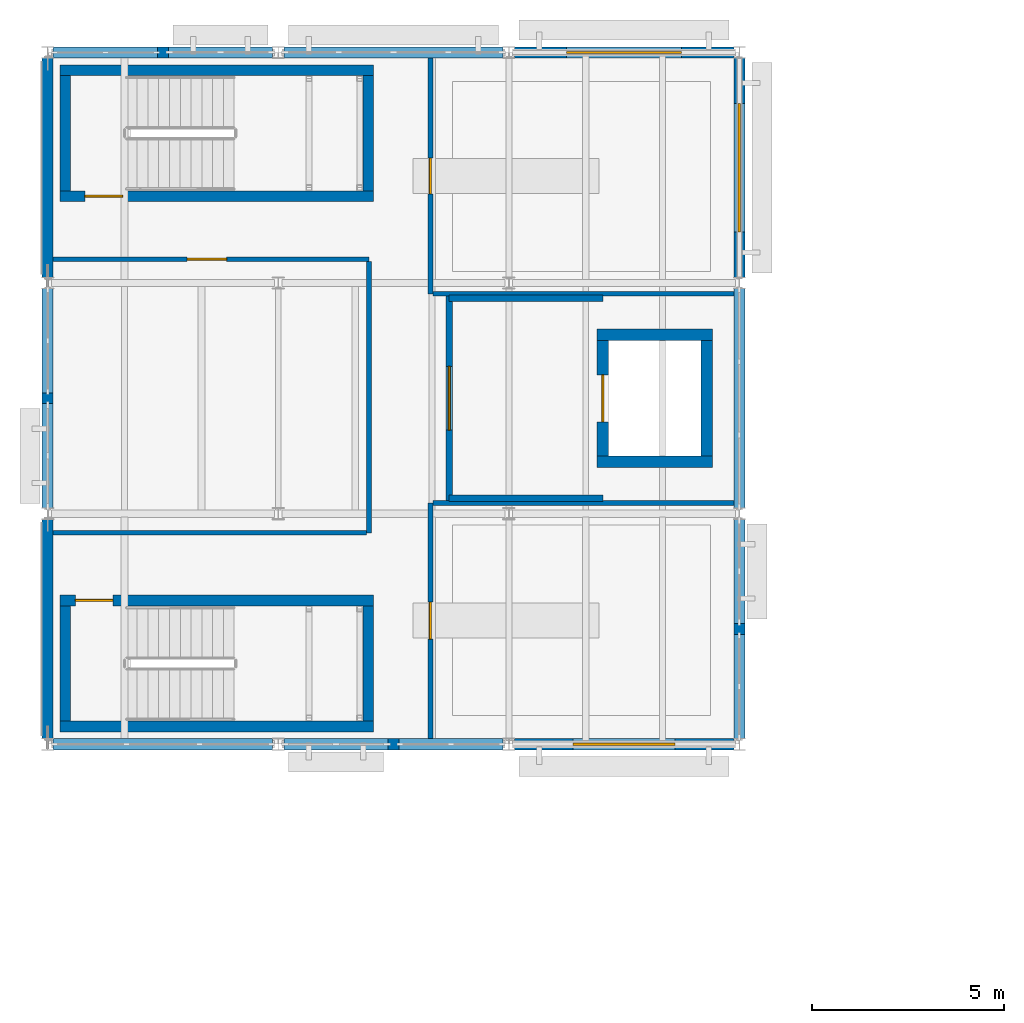
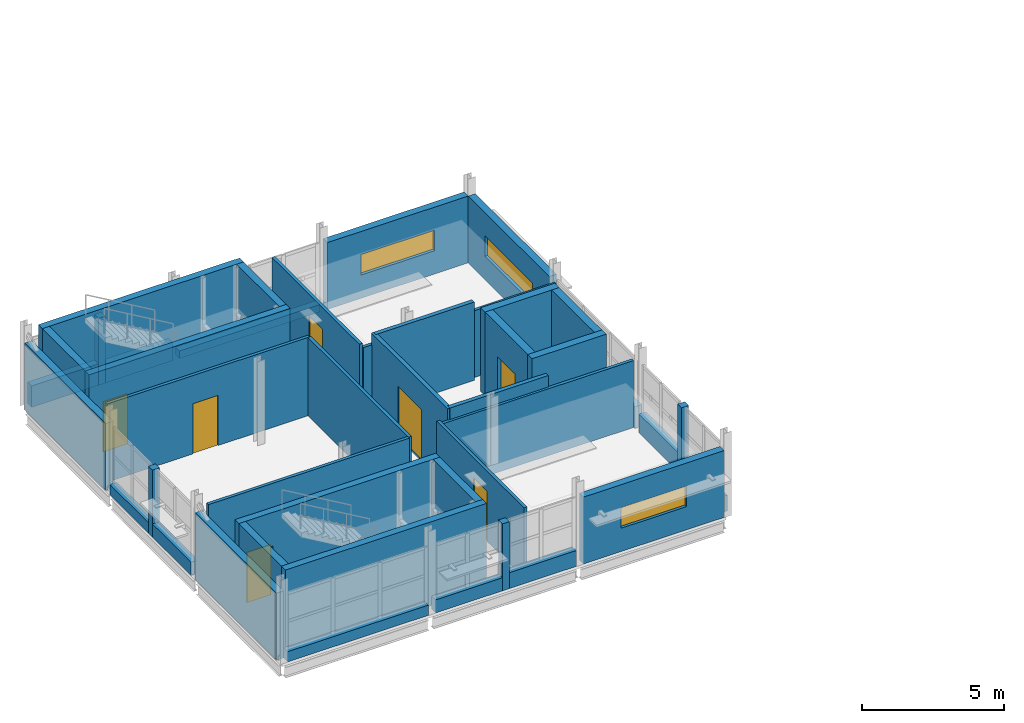
# One storey, part 15 of 20: 42 walls, 7 doors, 3 windows, 10 openings.
"""IFC4 building model written with IfcOpenShell, lengths in metres."""

from ifc_helpers import new_model, si_unit, direction, frame, frame_2d, origin, place, context, subcontext, project, spatial, rectangle, extrude, material, layer, layer_set, type_object, element, fill, save


model = new_model("IFC4")

# Units and contexts
model_context = context("Model", 3, precision=1e-05, world=origin(), true_north=direction((0.0, 1.0)))
body_context = subcontext(model_context, "Body", "Model", "MODEL_VIEW")
ifc_project = project(units=[si_unit("LENGTHUNIT", "METRE"), si_unit("AREAUNIT", "SQUARE_METRE"), si_unit("VOLUMEUNIT", "CUBIC_METRE"), si_unit("PLANEANGLEUNIT", "RADIAN"), si_unit("MASSUNIT", "GRAM", prefix="KILO")], contexts=[model_context])

# Site, building, storey
site_placement = place(None, origin())
site = spatial("IfcSite", under=ifc_project, at=site_placement, CompositionType="ELEMENT")
building_placement = place(site_placement, origin())
building = spatial("IfcBuilding", under=site, at=building_placement, Name="Siltcreek Boulevard Central Fire Station", CompositionType="ELEMENT")
storey_placement = place(building_placement, frame((0.0, 0.0, 18.0)))
storey = spatial("IfcBuildingStorey", under=building, at=storey_placement, Name="L05", CompositionType="ELEMENT", Elevation=18.0)

# Wall
ifc_material_1 = material(Name="Concrete C40/50", Category="concrete")
ifc_layer_1 = layer(ifc_material_1, 0.280029296875, Name="Concrete C40/50")
ifc_layer_set_1 = layer_set([ifc_layer_1], Name="Concrete C40/50")
wall_type_1 = type_object("IfcWallType", Name="CW_SHEAR280", PredefinedType="SHEAR", material=ifc_layer_set_1)
wall_1_placement = place(storey_placement, frame((42.320068359375, 94.659912109375, 0.0), z_axis=(0.0, 0.0, 1.0), x_axis=(1.0, 0.0, 0.0)))
element("IfcWall", 1, at=wall_1_placement, inside=storey, type_object=wall_type_1, Name="L05 ST-V3A stair enclosure south shear wall", PredefinedType="SHEAR", context=body_context, shape_type="SweptSolid", body=[
    extrude(rectangle(XDim=8.159912109375, YDim=0.280029296875, at=frame_2d((4.080078125, 0.0))), origin(), (0.0, 0.0, 1.0), 3.60009765625),
])

# Wall, opening, door
wall_2_placement = place(storey_placement, frame((50.47998046875, 97.93994140625, 0.0), z_axis=(0.0, 0.0, 1.0), x_axis=(-1.0, 0.0, 0.0)))
wall_2 = element("IfcWall", 2, at=wall_2_placement, inside=storey, type_object=wall_type_1, Name="L05 ST-V3A stair enclosure north shear wall", PredefinedType="SHEAR", context=body_context, shape_type="SweptSolid", body=[
    extrude(rectangle(XDim=8.159912109375, YDim=0.280029296875, at=frame_2d((4.080078125, 0.0))), origin(), (0.0, 0.0, 1.0), 3.60009765625),
])
opening_1_placement = place(wall_2_placement, frame((6.780029296875, 0.0, 0.0)))
opening_1 = element("IfcOpeningElement", 3, at=opening_1_placement, cuts=wall_2, Name="Opening SD-024", PredefinedType="OPENING", context=body_context, shape_type="SweptSolid", body=[
    extrude(rectangle(XDim=0.97998046875, YDim=2.14990234375, at=frame_2d((0.489990234375, 1.074951171875))), frame((0.0, 0.14990234375, 0.0), z_axis=(0.0, -1.0, 0.0), x_axis=(1.0, 0.0, 0.0)), (0.0, 0.0, 1.0), 0.300048828125),
])
ifc_material_2 = material(Name="Hollow metal 90-min enclosed stair door")
door_type_1 = type_object("IfcDoorType", Name="DR_ST_098X215", OperationType="NOTDEFINED", PredefinedType="DOOR", material=ifc_material_2)
door_1_placement = place(opening_1_placement, origin())
door_1 = element("IfcDoor", 4, at=door_1_placement, inside=storey, type_object=door_type_1, Name="L05 ST-V3A enclosed exit stair door SD-024", OperationType="SINGLE_SWING_LEFT", OverallHeight=2.14990234375, OverallWidth=0.97998046875, PredefinedType="DOOR", context=body_context, shape_type="SweptSolid", body=[
    extrude(rectangle(XDim=0.97998046875, YDim=2.14990234375, at=frame_2d((0.489990234375, 1.074951171875))), frame((0.0, 0.02490234375, 0.0), z_axis=(0.0, -1.0, 0.0), x_axis=(1.0, 0.0, 0.0)), (0.0, 0.0, 1.0), 0.050048828125),
])
fill(opening_1, door_1)

# Walls
for number, where, z_axis, x_axis, name in (
    (5, (42.4599609375, 97.800048828125, 0.0), (0.0, 0.0, 1.0), (0.0, -1.0, 0.0), "L05 ST-V3A stair enclosure west shear wall"),
    (6, (50.340087890625, 94.800048828125, 0.0), (0.0, 0.0, 1.0), (0.0, 1.0, 0.0), "L05 ST-V3A stair enclosure east shear wall"),
):
    element("IfcWall", number, at=place(storey_placement, frame(where, z_axis=z_axis, x_axis=x_axis)), inside=storey, type_object=wall_type_1, Name=name, PredefinedType="SHEAR", context=body_context, shape_type="SweptSolid", body=[
        extrude(rectangle(XDim=3.0, YDim=0.280029296875, at=frame_2d((1.5, 0.0))), origin(), (0.0, 0.0, 1.0), 3.60009765625),
    ])

# Wall, opening, door
wall_3_placement = place(storey_placement, frame((42.320068359375, 108.4599609375, 0.0), z_axis=(0.0, 0.0, 1.0), x_axis=(1.0, 0.0, 0.0)))
wall_3 = element("IfcWall", 7, at=wall_3_placement, inside=storey, type_object=wall_type_1, Name="L05 ST-V3B stair enclosure south shear wall", PredefinedType="SHEAR", context=body_context, shape_type="SweptSolid", body=[
    extrude(rectangle(XDim=8.159912109375, YDim=0.280029296875, at=frame_2d((4.080078125, 0.0))), origin(), (0.0, 0.0, 1.0), 3.60009765625),
])
opening_2_placement = place(wall_3_placement, frame((0.64990234375, 0.0, 0.0)))
opening_2 = element("IfcOpeningElement", 8, at=opening_2_placement, cuts=wall_3, Name="Opening SD-030", PredefinedType="OPENING", context=body_context, shape_type="SweptSolid", body=[
    extrude(rectangle(XDim=0.97998046875, YDim=2.14990234375, at=frame_2d((0.489990234375, 1.074951171875))), frame((0.0, 0.14990234375, 0.0), z_axis=(0.0, -1.0, 0.0), x_axis=(1.0, 0.0, 0.0)), (0.0, 0.0, 1.0), 0.300048828125),
])
door_2_placement = place(opening_2_placement, origin())
door_2 = element("IfcDoor", 9, at=door_2_placement, inside=storey, type_object=door_type_1, Name="L05 ST-V3B enclosed exit stair door SD-030", OperationType="SINGLE_SWING_LEFT", OverallHeight=2.14990234375, OverallWidth=0.97998046875, PredefinedType="DOOR", context=body_context, shape_type="SweptSolid", body=[
    extrude(rectangle(XDim=0.97998046875, YDim=2.14990234375, at=frame_2d((0.489990234375, 1.074951171875))), frame((0.0, 0.02490234375, 0.0), z_axis=(0.0, -1.0, 0.0), x_axis=(1.0, 0.0, 0.0)), (0.0, 0.0, 1.0), 0.050048828125),
])
fill(opening_2, door_2)

# Walls
wall_4_placement = place(storey_placement, frame((50.47998046875, 111.739990234375, 0.0), z_axis=(0.0, 0.0, 1.0), x_axis=(-1.0, 0.0, 0.0)))
element("IfcWall", 10, at=wall_4_placement, inside=storey, type_object=wall_type_1, Name="L05 ST-V3B stair enclosure north shear wall", PredefinedType="SHEAR", context=body_context, shape_type="SweptSolid", body=[
    extrude(rectangle(XDim=8.159912109375, YDim=0.280029296875, at=frame_2d((4.080078125, 0.0))), origin(), (0.0, 0.0, 1.0), 3.60009765625),
])
for number, where, z_axis, x_axis, name in (
    (11, (42.4599609375, 111.60009765625, 0.0), (0.0, 0.0, 1.0), (0.0, -1.0, 0.0), "L05 ST-V3B stair enclosure west shear wall"),
    (12, (50.340087890625, 108.60009765625, 0.0), (0.0, 0.0, 1.0), (0.0, 1.0, 0.0), "L05 ST-V3B stair enclosure east shear wall"),
):
    element("IfcWall", number, at=place(storey_placement, frame(where, z_axis=z_axis, x_axis=x_axis)), inside=storey, type_object=wall_type_1, Name=name, PredefinedType="SHEAR", context=body_context, shape_type="SweptSolid", body=[
        extrude(rectangle(XDim=3.0, YDim=0.280029296875, at=frame_2d((1.5, 0.0))), origin(), (0.0, 0.0, 1.0), 3.60009765625),
    ])
ifc_layer_2 = layer(ifc_material_1, 0.304931640625, Name="Concrete C40/50")
ifc_layer_set_2 = layer_set([ifc_layer_2], Name="Concrete C40/50")
wall_type_2 = type_object("IfcWallType", Name="CW_SHEAR305", PredefinedType="SHEAR", material=ifc_layer_set_2)
for number, where, z_axis, x_axis, name in (
    (13, (56.294921875, 101.547607421875, 0.0), (0.0, 0.0, 1.0), (1.0, 0.0, 0.0), "L05 EL-04 elevator shaft south shear wall"),
    (14, (59.304931640625, 104.8525390625, 0.0), (0.0, 0.0, 1.0), (-1.0, 0.0, 0.0), "L05 EL-04 elevator shaft north shear wall"),
):
    element("IfcWall", number, at=place(storey_placement, frame(where, z_axis=z_axis, x_axis=x_axis)), inside=storey, type_object=wall_type_2, Name=name, PredefinedType="SHEAR", context=body_context, shape_type="SweptSolid", body=[
        extrude(rectangle(XDim=3.010009765625, YDim=0.304931640625, at=frame_2d((1.5048828125, 0.0))), origin(), (0.0, 0.0, 1.0), 3.60009765625),
    ])

# Wall, opening, door
wall_5_placement = place(storey_placement, frame((56.447509765625, 104.699951171875, 0.0), z_axis=(0.0, 0.0, 1.0), x_axis=(0.0, -1.0, 0.0)))
wall_5 = element("IfcWall", 15, at=wall_5_placement, inside=storey, type_object=wall_type_2, Name="L05 EL-04 elevator shaft west shear wall", PredefinedType="SHEAR", context=body_context, shape_type="SweptSolid", body=[
    extrude(rectangle(XDim=3.0, YDim=0.304931640625, at=frame_2d((1.5, 0.0))), origin(), (0.0, 0.0, 1.0), 3.60009765625),
])
opening_3_placement = place(wall_5_placement, frame((0.889892578125, 0.0, 0.0)))
opening_3 = element("IfcOpeningElement", 16, at=opening_3_placement, cuts=wall_5, Name="Opening LD02", PredefinedType="OPENING", context=body_context, shape_type="SweptSolid", body=[
    extrude(rectangle(XDim=1.219970703125, YDim=2.219970703125, at=frame_2d((0.60986328125, 1.10986328125))), frame((0.0, 0.162353515625, 0.0), z_axis=(0.0, -1.0, 0.0), x_axis=(1.0, 0.0, 0.0)), (0.0, 0.0, 1.0), 0.324951171875),
])
ifc_material_3 = material(Name="Stainless steel firefighting sliding elevator landing door", Category="steel")
door_type_2 = type_object("IfcDoorType", Name="DR_LD_122X222", OperationType="NOTDEFINED", PredefinedType="DOOR", material=ifc_material_3)
door_3_placement = place(opening_3_placement, origin())
door_3 = element("IfcDoor", 17, at=door_3_placement, inside=storey, type_object=door_type_2, Name="L05 EL-04 elevator sliding landing door LD-20", OperationType="SLIDING_TO_LEFT", OverallHeight=2.219970703125, OverallWidth=1.219970703125, PredefinedType="DOOR", context=body_context, shape_type="SweptSolid", body=[
    extrude(rectangle(XDim=1.219970703125, YDim=2.219970703125, at=frame_2d((0.60986328125, 1.10986328125))), frame((0.0, 0.02490234375, 0.0), z_axis=(0.0, -1.0, 0.0), x_axis=(1.0, 0.0, 0.0)), (0.0, 0.0, 1.0), 0.050048828125),
])
fill(opening_3, door_3)

# Walls
wall_6_placement = place(storey_placement, frame((59.152587890625, 101.699951171875, 0.0), z_axis=(0.0, 0.0, 1.0), x_axis=(0.0, 1.0, 0.0)))
element("IfcWall", 18, at=wall_6_placement, inside=storey, type_object=wall_type_2, Name="L05 EL-04 elevator shaft east shear wall", PredefinedType="SHEAR", context=body_context, shape_type="SweptSolid", body=[
    extrude(rectangle(XDim=3.0, YDim=0.304931640625, at=frame_2d((1.5, 0.0))), origin(), (0.0, 0.0, 1.0), 3.60009765625),
])
ifc_material_4 = material(Name="White ribbed aluminum spandrel wall", Category="aluminium")
ifc_layer_3 = layer(ifc_material_4, 0.2900390625, Name="White ribbed aluminum spandrel wall")
ifc_layer_set_3 = layer_set([ifc_layer_3], Name="White ribbed aluminum spandrel wall")
wall_type_3 = type_object("IfcWallType", Name="EW_METAL290", PredefinedType="STANDARD", material=ifc_layer_set_3)
wall_7_placement = place(storey_placement, frame((42.14501953125, 94.199951171875, 0.0), z_axis=(0.0, 0.0, 1.0), x_axis=(1.0, 0.0, 0.0)))
element("IfcWall", 19, at=wall_7_placement, inside=storey, type_object=wall_type_3, Name="L05 V3 curtain-wall sill spandrel 0183", PredefinedType="STANDARD", context=body_context, shape_type="SweptSolid", body=[
    extrude(rectangle(XDim=5.7099609375, YDim=0.2900390625, at=frame_2d((2.85498046875, 0.0))), origin(), (0.0, 0.0, 1.0), 0.43994140625),
])
wall_8_placement = place(storey_placement, frame((50.860107421875, 94.199951171875, 0.0), z_axis=(0.0, 0.0, 1.0), x_axis=(1.0, 0.0, 0.0)))
element("IfcWall", 20, at=wall_8_placement, inside=storey, type_object=wall_type_3, Name="L05 V3 facade pier 0184", PredefinedType="STANDARD", context=body_context, shape_type="SweptSolid", body=[
    extrude(rectangle(XDim=0.27978515625, YDim=0.2900390625, at=frame_2d((0.139892578125, 0.0))), origin(), (0.0, 0.0, 1.0), 2.868896484375),
])
wall_9_placement = place(storey_placement, frame((48.14501953125, 94.199951171875, 0.0), z_axis=(0.0, 0.0, 1.0), x_axis=(1.0, 0.0, 0.0)))
element("IfcWall", 21, at=wall_9_placement, inside=storey, type_object=wall_type_3, Name="L05 V3 curtain-wall sill spandrel 0185", PredefinedType="STANDARD", context=body_context, shape_type="SweptSolid", body=[
    extrude(rectangle(XDim=2.715087890625, YDim=0.2900390625, at=frame_2d((1.357421875, 0.0))), origin(), (0.0, 0.0, 1.0), 0.56005859375),
])
wall_10_placement = place(storey_placement, frame((51.139892578125, 94.199951171875, 0.0), z_axis=(0.0, 0.0, 1.0), x_axis=(1.0, 0.0, 0.0)))
element("IfcWall", 22, at=wall_10_placement, inside=storey, type_object=wall_type_3, Name="L05 V3 curtain-wall sill spandrel 0186", PredefinedType="STANDARD", context=body_context, shape_type="SweptSolid", body=[
    extrude(rectangle(XDim=2.715087890625, YDim=0.2900390625, at=frame_2d((1.357421875, 0.0))), origin(), (0.0, 0.0, 1.0), 0.679931640625),
])

# Wall, opening, window
wall_11_placement = place(storey_placement, frame((54.14501953125, 94.199951171875, 0.0), z_axis=(0.0, 0.0, 1.0), x_axis=(1.0, 0.0, 0.0)))
wall_11 = element("IfcWall", 23, at=wall_11_placement, inside=storey, type_object=wall_type_3, Name="L05 V3 exterior insulated rainscreen wall WL-EXT-L05-0187", PredefinedType="STANDARD", context=body_context, shape_type="SweptSolid", body=[
    extrude(rectangle(XDim=5.7099609375, YDim=0.2900390625, at=frame_2d((2.85498046875, 0.0))), origin(), (0.0, 0.0, 1.0), 2.868896484375),
])
opening_4_placement = place(wall_11_placement, frame((1.530029296875, 0.0, 1.0)))
opening_4 = element("IfcOpeningElement", 24, at=opening_4_placement, cuts=wall_11, Name="Opening WN27", PredefinedType="OPENING", context=body_context, shape_type="SweptSolid", body=[
    extrude(rectangle(XDim=2.64990234375, YDim=0.8798828125, at=frame_2d((1.324951171875, 0.43994140625))), frame((0.0, 0.155029296875, 0.0), z_axis=(0.0, -1.0, 0.0), x_axis=(1.0, 0.0, 0.0)), (0.0, 0.0, 1.0), 0.31005859375),
])
ifc_material_5 = material(Name="Thermally broken aluminum frame with low-E insulated glass", Category="aluminium")
window_type_1 = type_object("IfcWindowType", Name="WN_CL_265X088", PartitioningType="SINGLE_PANEL", PredefinedType="WINDOW", material=ifc_material_5)
window_1_placement = place(opening_4_placement, origin())
window_1 = element("IfcWindow", 25, at=window_1_placement, inside=storey, type_object=window_type_1, Name="L05 V3 exterior window WN-0094", OverallHeight=0.8798828125, OverallWidth=2.64990234375, PartitioningType="SINGLE_PANEL", PredefinedType="WINDOW", context=body_context, shape_type="SweptSolid", body=[
    extrude(rectangle(XDim=2.64990234375, YDim=0.8798828125, at=frame_2d((1.324951171875, 0.43994140625))), frame((0.0, 0.030029296875, 0.0), z_axis=(0.0, -1.0, 0.0), x_axis=(1.0, 0.0, 0.0)), (0.0, 0.0, 1.0), 0.06005859375),
])
fill(opening_4, window_1)

# Walls
wall_12_placement = place(storey_placement, frame((45.139892578125, 112.199951171875, 0.0), z_axis=(0.0, 0.0, 1.0), x_axis=(-1.0, 0.0, 0.0)))
element("IfcWall", 26, at=wall_12_placement, inside=storey, type_object=wall_type_3, Name="L05 V3 facade pier 0188", PredefinedType="STANDARD", context=body_context, shape_type="SweptSolid", body=[
    extrude(rectangle(XDim=0.27978515625, YDim=0.2900390625, at=frame_2d((0.139892578125, 0.0))), origin(), (0.0, 0.0, 1.0), 2.868896484375),
])
wall_13_placement = place(storey_placement, frame((47.85498046875, 112.199951171875, 0.0), z_axis=(0.0, 0.0, 1.0), x_axis=(-1.0, 0.0, 0.0)))
element("IfcWall", 27, at=wall_13_placement, inside=storey, type_object=wall_type_3, Name="L05 V3 curtain-wall sill spandrel 0189", PredefinedType="STANDARD", context=body_context, shape_type="SweptSolid", body=[
    extrude(rectangle(XDim=2.715087890625, YDim=0.2900390625, at=frame_2d((1.357421875, 0.0))), origin(), (0.0, 0.0, 1.0), 0.800048828125),
])
wall_14_placement = place(storey_placement, frame((44.860107421875, 112.199951171875, 0.0), z_axis=(0.0, 0.0, 1.0), x_axis=(-1.0, 0.0, 0.0)))
element("IfcWall", 28, at=wall_14_placement, inside=storey, type_object=wall_type_3, Name="L05 V3 curtain-wall sill spandrel 0190", PredefinedType="STANDARD", context=body_context, shape_type="SweptSolid", body=[
    extrude(rectangle(XDim=2.715087890625, YDim=0.2900390625, at=frame_2d((1.357421875, 0.0))), origin(), (0.0, 0.0, 1.0), 0.919921875),
])
wall_15_placement = place(storey_placement, frame((53.85498046875, 112.199951171875, 0.0), z_axis=(0.0, 0.0, 1.0), x_axis=(-1.0, 0.0, 0.0)))
element("IfcWall", 29, at=wall_15_placement, inside=storey, type_object=wall_type_3, Name="L05 V3 curtain-wall sill spandrel 0191", PredefinedType="STANDARD", context=body_context, shape_type="SweptSolid", body=[
    extrude(rectangle(XDim=5.7099609375, YDim=0.2900390625, at=frame_2d((2.85498046875, 0.0))), origin(), (0.0, 0.0, 1.0), 0.320068359375),
])

# Wall, opening, window
wall_16_placement = place(storey_placement, frame((59.85498046875, 112.199951171875, 0.0), z_axis=(0.0, 0.0, 1.0), x_axis=(-1.0, 0.0, 0.0)))
wall_16 = element("IfcWall", 30, at=wall_16_placement, inside=storey, type_object=wall_type_3, Name="L05 V3 exterior insulated rainscreen wall WL-EXT-L05-0192", PredefinedType="STANDARD", context=body_context, shape_type="SweptSolid", body=[
    extrude(rectangle(XDim=5.7099609375, YDim=0.2900390625, at=frame_2d((2.85498046875, 0.0))), origin(), (0.0, 0.0, 1.0), 2.868896484375),
])
opening_5_placement = place(wall_16_placement, frame((1.35498046875, 0.0, 1.0)))
opening_5 = element("IfcOpeningElement", 31, at=opening_5_placement, cuts=wall_16, Name="Opening WN28", PredefinedType="OPENING", context=body_context, shape_type="SweptSolid", body=[
    extrude(rectangle(XDim=3.0, YDim=0.8798828125, at=frame_2d((1.5, 0.43994140625))), frame((0.0, 0.155029296875, 0.0), z_axis=(0.0, -1.0, 0.0), x_axis=(1.0, 0.0, 0.0)), (0.0, 0.0, 1.0), 0.31005859375),
])
window_type_2 = type_object("IfcWindowType", Name="WN_CL_300X088", PartitioningType="SINGLE_PANEL", PredefinedType="WINDOW", material=ifc_material_5)
window_2_placement = place(opening_5_placement, origin())
window_2 = element("IfcWindow", 32, at=window_2_placement, inside=storey, type_object=window_type_2, Name="L05 V3 exterior window WN-0095", OverallHeight=0.8798828125, OverallWidth=3.0, PartitioningType="SINGLE_PANEL", PredefinedType="WINDOW", context=body_context, shape_type="SweptSolid", body=[
    extrude(rectangle(XDim=3.0, YDim=0.8798828125, at=frame_2d((1.5, 0.43994140625))), frame((0.0, 0.030029296875, 0.0), z_axis=(0.0, -1.0, 0.0), x_axis=(1.0, 0.0, 0.0)), (0.0, 0.0, 1.0), 0.06005859375),
])
fill(opening_5, window_2)

# Walls
wall_17_placement = place(storey_placement, frame((42.0, 100.054931640625, 0.0), z_axis=(0.0, 0.0, 1.0), x_axis=(0.0, -1.0, 0.0)))
element("IfcWall", 33, at=wall_17_placement, inside=storey, type_object=wall_type_3, Name="L05 V3 exterior insulated rainscreen wall WL-EXT-L05-0193", PredefinedType="STANDARD", context=body_context, shape_type="SweptSolid", body=[
    extrude(rectangle(XDim=5.7099609375, YDim=0.2900390625, at=frame_2d((2.85498046875, 0.0))), origin(), (0.0, 0.0, 1.0), 2.873046875),
])
wall_18_placement = place(storey_placement, frame((42.0, 103.340087890625, 0.0), z_axis=(0.0, 0.0, 1.0), x_axis=(0.0, -1.0, 0.0)))
element("IfcWall", 34, at=wall_18_placement, inside=storey, type_object=wall_type_3, Name="L05 V3 facade pier 0194", PredefinedType="STANDARD", context=body_context, shape_type="SweptSolid", body=[
    extrude(rectangle(XDim=0.280029296875, YDim=0.2900390625, at=frame_2d((0.14013671875, 0.0))), origin(), (0.0, 0.0, 1.0), 2.873046875),
])
wall_19_placement = place(storey_placement, frame((42.0, 106.054931640625, 0.0), z_axis=(0.0, 0.0, 1.0), x_axis=(0.0, -1.0, 0.0)))
element("IfcWall", 35, at=wall_19_placement, inside=storey, type_object=wall_type_3, Name="L05 V3 curtain-wall sill spandrel 0195", PredefinedType="STANDARD", context=body_context, shape_type="SweptSolid", body=[
    extrude(rectangle(XDim=2.71484375, YDim=0.2900390625, at=frame_2d((1.357421875, 0.0))), origin(), (0.0, 0.0, 1.0), 0.43994140625),
])
wall_20_placement = place(storey_placement, frame((42.0, 103.06005859375, 0.0), z_axis=(0.0, 0.0, 1.0), x_axis=(0.0, -1.0, 0.0)))
element("IfcWall", 36, at=wall_20_placement, inside=storey, type_object=wall_type_3, Name="L05 V3 curtain-wall sill spandrel 0196", PredefinedType="STANDARD", context=body_context, shape_type="SweptSolid", body=[
    extrude(rectangle(XDim=2.715087890625, YDim=0.2900390625, at=frame_2d((1.357421875, 0.0))), origin(), (0.0, 0.0, 1.0), 0.56005859375),
])
wall_21_placement = place(storey_placement, frame((42.0, 112.054931640625, 0.0), z_axis=(0.0, 0.0, 1.0), x_axis=(0.0, -1.0, 0.0)))
element("IfcWall", 37, at=wall_21_placement, inside=storey, type_object=wall_type_3, Name="L05 V3 exterior insulated rainscreen wall WL-EXT-L05-0197", PredefinedType="STANDARD", context=body_context, shape_type="SweptSolid", body=[
    extrude(rectangle(XDim=5.7099609375, YDim=0.2900390625, at=frame_2d((2.85498046875, 0.0))), origin(), (0.0, 0.0, 1.0), 2.873046875),
])
wall_22_placement = place(storey_placement, frame((60.0, 97.06005859375, 0.0), z_axis=(0.0, 0.0, 1.0), x_axis=(0.0, 1.0, 0.0)))
element("IfcWall", 38, at=wall_22_placement, inside=storey, type_object=wall_type_3, Name="L05 V3 facade pier 0198", PredefinedType="STANDARD", context=body_context, shape_type="SweptSolid", body=[
    extrude(rectangle(XDim=0.280029296875, YDim=0.2900390625, at=frame_2d((0.14013671875, 0.0))), origin(), (0.0, 0.0, 1.0), 2.873046875),
])
wall_23_placement = place(storey_placement, frame((60.0, 94.344970703125, 0.0), z_axis=(0.0, 0.0, 1.0), x_axis=(0.0, 1.0, 0.0)))
element("IfcWall", 39, at=wall_23_placement, inside=storey, type_object=wall_type_3, Name="L05 V3 curtain-wall sill spandrel 0199", PredefinedType="STANDARD", context=body_context, shape_type="SweptSolid", body=[
    extrude(rectangle(XDim=2.715087890625, YDim=0.2900390625, at=frame_2d((1.357421875, 0.0))), origin(), (0.0, 0.0, 1.0), 0.679931640625),
])
wall_24_placement = place(storey_placement, frame((60.0, 97.340087890625, 0.0), z_axis=(0.0, 0.0, 1.0), x_axis=(0.0, 1.0, 0.0)))
element("IfcWall", 40, at=wall_24_placement, inside=storey, type_object=wall_type_3, Name="L05 V3 curtain-wall sill spandrel 0200", PredefinedType="STANDARD", context=body_context, shape_type="SweptSolid", body=[
    extrude(rectangle(XDim=2.71484375, YDim=0.2900390625, at=frame_2d((1.357421875, 0.0))), origin(), (0.0, 0.0, 1.0), 0.800048828125),
])
wall_25_placement = place(storey_placement, frame((60.0, 100.344970703125, 0.0), z_axis=(0.0, 0.0, 1.0), x_axis=(0.0, 1.0, 0.0)))
element("IfcWall", 41, at=wall_25_placement, inside=storey, type_object=wall_type_3, Name="L05 V3 curtain-wall sill spandrel 0201", PredefinedType="STANDARD", context=body_context, shape_type="SweptSolid", body=[
    extrude(rectangle(XDim=5.7099609375, YDim=0.2900390625, at=frame_2d((2.85498046875, 0.0))), origin(), (0.0, 0.0, 1.0), 0.919921875),
])

# Wall, opening, window
wall_26_placement = place(storey_placement, frame((60.0, 106.344970703125, 0.0), z_axis=(0.0, 0.0, 1.0), x_axis=(0.0, 1.0, 0.0)))
wall_26 = element("IfcWall", 42, at=wall_26_placement, inside=storey, type_object=wall_type_3, Name="L05 V3 exterior insulated rainscreen wall WL-EXT-L05-0202", PredefinedType="STANDARD", context=body_context, shape_type="SweptSolid", body=[
    extrude(rectangle(XDim=5.7099609375, YDim=0.2900390625, at=frame_2d((2.85498046875, 0.0))), origin(), (0.0, 0.0, 1.0), 2.873046875),
])
opening_6_placement = place(wall_26_placement, frame((1.179931640625, 0.0, 1.0)))
opening_6 = element("IfcOpeningElement", 43, at=opening_6_placement, cuts=wall_26, Name="Opening WN29", PredefinedType="OPENING", context=body_context, shape_type="SweptSolid", body=[
    extrude(rectangle(XDim=3.35009765625, YDim=0.8798828125, at=frame_2d((1.675048828125, 0.43994140625))), frame((0.0, 0.155029296875, 0.0), z_axis=(0.0, -1.0, 0.0), x_axis=(1.0, 0.0, 0.0)), (0.0, 0.0, 1.0), 0.31005859375),
])
window_type_3 = type_object("IfcWindowType", Name="WN_CL_335X088", PartitioningType="SINGLE_PANEL", PredefinedType="WINDOW", material=ifc_material_5)
window_3_placement = place(opening_6_placement, origin())
window_3 = element("IfcWindow", 44, at=window_3_placement, inside=storey, type_object=window_type_3, Name="L05 V3 exterior window WN-0096", OverallHeight=0.8798828125, OverallWidth=3.35009765625, PartitioningType="SINGLE_PANEL", PredefinedType="WINDOW", context=body_context, shape_type="SweptSolid", body=[
    extrude(rectangle(XDim=3.35009765625, YDim=0.8798828125, at=frame_2d((1.675048828125, 0.43994140625))), frame((0.0, 0.030029296875, 0.0), z_axis=(0.0, -1.0, 0.0), x_axis=(1.0, 0.0, 0.0)), (0.0, 0.0, 1.0), 0.06005859375),
])
fill(opening_6, window_3)

# Wall, opening, door
ifc_material_6 = material(Name="Interior steel stud gypsum partition", Category="steel")
ifc_layer_4 = layer(ifc_material_6, 0.125, Name="Interior steel stud gypsum partition")
ifc_layer_set_4 = layer_set([ifc_layer_4], Name="Interior steel stud gypsum partition")
wall_type_4 = type_object("IfcWallType", Name="IW_PART125", PredefinedType="PARTITIONING", material=ifc_layer_set_4)
wall_27_placement = place(storey_placement, frame((42.14501953125, 106.820068359375, 0.0), z_axis=(0.0, 0.0, 1.0), x_axis=(1.0, 0.0, 0.0)))
wall_27 = element("IfcWall", 45, at=wall_27_placement, inside=storey, type_object=wall_type_4, Name="L05 Window Bailout Training Room partition 0354", PredefinedType="PARTITIONING", context=body_context, shape_type="SweptSolid", body=[
    extrude(rectangle(XDim=8.217529296875, YDim=0.125, at=frame_2d((4.10888671875, 0.0))), origin(), (0.0, 0.0, 1.0), 3.360107421875),
])
opening_7_placement = place(wall_27_placement, frame((3.48291015625, 0.0, 0.0)))
opening_7 = element("IfcOpeningElement", 46, at=opening_7_placement, cuts=wall_27, Name="Opening ID01", PredefinedType="OPENING", context=body_context, shape_type="SweptSolid", body=[
    extrude(rectangle(XDim=1.030029296875, YDim=2.14990234375, at=frame_2d((0.51513671875, 1.074951171875))), frame((0.0, 0.072509765625, 0.0), z_axis=(0.0, -1.0, 0.0), x_axis=(1.0, 0.0, 0.0)), (0.0, 0.0, 1.0), 0.14501953125),
])
ifc_material_7 = material(Name="Solid-core timber acoustic classroom door", Category="wood")
door_type_3 = type_object("IfcDoorType", Name="DR_CLS_103X215", OperationType="NOTDEFINED", PredefinedType="DOOR", material=ifc_material_7)
door_4_placement = place(opening_7_placement, frame((1.030029296875, 0.0, 0.0), z_axis=(0.0, 0.0, 1.0), x_axis=(-1.0, 0.0, 0.0)))
door_4 = element("IfcDoor", 47, at=door_4_placement, inside=storey, type_object=door_type_3, Name="L05 Window Bailout Training Room door ID-0155", OperationType="SINGLE_SWING_RIGHT", OverallHeight=2.14990234375, OverallWidth=1.030029296875, PredefinedType="DOOR", context=body_context, shape_type="SweptSolid", body=[
    extrude(rectangle(XDim=1.030029296875, YDim=2.14990234375, at=frame_2d((0.51513671875, 1.074951171875))), frame((0.0, 0.02490234375, 0.0), z_axis=(0.0, -1.0, 0.0), x_axis=(1.0, 0.0, 0.0)), (0.0, 0.0, 1.0), 0.050048828125),
])
fill(opening_7, door_4)

# Walls
wall_28_placement = place(storey_placement, frame((50.360107421875, 106.757568359375, 0.0), z_axis=(0.0, 0.0, 1.0), x_axis=(0.0, -1.0, 0.0)))
element("IfcWall", 48, at=wall_28_placement, inside=storey, type_object=wall_type_4, Name="L05 Window Bailout Training Room partition 0355", PredefinedType="PARTITIONING", context=body_context, shape_type="SweptSolid", body=[
    extrude(rectangle(XDim=7.06005859375, YDim=0.125, at=frame_2d((3.530029296875, 0.0))), origin(), (0.0, 0.0, 1.0), 3.360107421875),
])
wall_29_placement = place(storey_placement, frame((50.297607421875, 99.699951171875, 0.0), z_axis=(0.0, 0.0, 1.0), x_axis=(-1.0, 0.0, 0.0)))
element("IfcWall", 49, at=wall_29_placement, inside=storey, type_object=wall_type_4, Name="L05 Window Bailout Training Room partition 0356", PredefinedType="PARTITIONING", context=body_context, shape_type="SweptSolid", body=[
    extrude(rectangle(XDim=8.152587890625, YDim=0.125, at=frame_2d((4.076171875, 0.0))), origin(), (0.0, 0.0, 1.0), 3.360107421875),
])

# Wall, opening, door
wall_30_placement = place(storey_placement, frame((51.9599609375, 94.344970703125, 0.0), z_axis=(0.0, 0.0, 1.0), x_axis=(0.0, 1.0, 0.0)))
wall_30 = element("IfcWall", 50, at=wall_30_placement, inside=storey, type_object=wall_type_4, Name="L05 High Angle Anchor Classroom partition 0357", PredefinedType="PARTITIONING", context=body_context, shape_type="SweptSolid", body=[
    extrude(rectangle(XDim=6.137451171875, YDim=0.125, at=frame_2d((3.06884765625, 0.0))), origin(), (0.0, 0.0, 1.0), 3.01904296875),
])
opening_8_placement = place(wall_30_placement, frame((2.5888671875, 0.0, 0.0)))
opening_8 = element("IfcOpeningElement", 51, at=opening_8_placement, cuts=wall_30, Name="Opening ID02", PredefinedType="OPENING", context=body_context, shape_type="SweptSolid", body=[
    extrude(rectangle(XDim=0.9599609375, YDim=2.14990234375, at=frame_2d((0.47998046875, 1.074951171875))), frame((0.0, 0.072509765625, 0.0), z_axis=(0.0, -1.0, 0.0), x_axis=(1.0, 0.0, 0.0)), (0.0, 0.0, 1.0), 0.14501953125),
])
ifc_material_8 = material(Name="Solid-core timber headquarters office door", Category="wood")
door_type_4 = type_object("IfcDoorType", Name="DR_OFF_096X215", OperationType="NOTDEFINED", PredefinedType="DOOR", material=ifc_material_8)
door_5_placement = place(opening_8_placement, frame((0.9599609375, 0.0, 0.0), z_axis=(0.0, 0.0, 1.0), x_axis=(-1.0, 0.0, 0.0)))
door_5 = element("IfcDoor", 52, at=door_5_placement, inside=storey, type_object=door_type_4, Name="L05 High Angle Anchor Classroom door ID-0156", OperationType="SINGLE_SWING_LEFT", OverallHeight=2.14990234375, OverallWidth=0.9599609375, PredefinedType="DOOR", context=body_context, shape_type="SweptSolid", body=[
    extrude(rectangle(XDim=0.9599609375, YDim=2.14990234375, at=frame_2d((0.47998046875, 1.074951171875))), frame((0.0, 0.02490234375, 0.0), z_axis=(0.0, -1.0, 0.0), x_axis=(1.0, 0.0, 0.0)), (0.0, 0.0, 1.0), 0.050048828125),
])
fill(opening_8, door_5)

# Wall
wall_31_placement = place(storey_placement, frame((52.0224609375, 100.47998046875, 0.0), z_axis=(0.0, 0.0, 1.0), x_axis=(1.0, 0.0, 0.0)))
element("IfcWall", 53, at=wall_31_placement, inside=storey, type_object=wall_type_4, Name="L05 High Angle Anchor Classroom partition 0358", PredefinedType="PARTITIONING", context=body_context, shape_type="SweptSolid", body=[
    extrude(rectangle(XDim=7.83251953125, YDim=0.125, at=frame_2d((3.916259765625, 0.0))), origin(), (0.0, 0.0, 1.0), 2.868896484375),
])

# Wall, opening, door
wall_32_placement = place(storey_placement, frame((51.9599609375, 105.91748046875, 0.0), z_axis=(0.0, 0.0, 1.0), x_axis=(0.0, 1.0, 0.0)))
wall_32 = element("IfcWall", 54, at=wall_32_placement, inside=storey, type_object=wall_type_4, Name="L05 Rope Rescue Instrumentation Lab partition 0359", PredefinedType="PARTITIONING", context=body_context, shape_type="SweptSolid", body=[
    extrude(rectangle(XDim=6.137451171875, YDim=0.125, at=frame_2d((3.06884765625, 0.0))), origin(), (0.0, 0.0, 1.0), 3.01904296875),
])
opening_9_placement = place(wall_32_placement, frame((2.603759765625, 0.0, 0.0)))
opening_9 = element("IfcOpeningElement", 55, at=opening_9_placement, cuts=wall_32, Name="Opening ID03", PredefinedType="OPENING", context=body_context, shape_type="SweptSolid", body=[
    extrude(rectangle(XDim=0.929931640625, YDim=2.10009765625, at=frame_2d((0.46484375, 1.050048828125))), frame((0.0, 0.072509765625, 0.0), z_axis=(0.0, -1.0, 0.0), x_axis=(1.0, 0.0, 0.0)), (0.0, 0.0, 1.0), 0.14501953125),
])
ifc_material_9 = material(Name="Solid-core timber station office door", Category="wood")
door_type_5 = type_object("IfcDoorType", Name="DR_OFF_093X210", OperationType="NOTDEFINED", PredefinedType="DOOR", material=ifc_material_9)
door_6_placement = place(opening_9_placement, frame((0.929931640625, 0.0, 0.0), z_axis=(0.0, 0.0, 1.0), x_axis=(-1.0, 0.0, 0.0)))
door_6 = element("IfcDoor", 56, at=door_6_placement, inside=storey, type_object=door_type_5, Name="L05 Rope Rescue Instrumentation Lab door ID-0157", OperationType="SINGLE_SWING_RIGHT", OverallHeight=2.10009765625, OverallWidth=0.929931640625, PredefinedType="DOOR", context=body_context, shape_type="SweptSolid", body=[
    extrude(rectangle(XDim=0.929931640625, YDim=2.10009765625, at=frame_2d((0.46484375, 1.050048828125))), frame((0.0, 0.02490234375, 0.0), z_axis=(0.0, -1.0, 0.0), x_axis=(1.0, 0.0, 0.0)), (0.0, 0.0, 1.0), 0.050048828125),
])
fill(opening_9, door_6)

# Walls
wall_33_placement = place(storey_placement, frame((59.85498046875, 105.919921875, 0.0), z_axis=(0.0, 0.0, 1.0), x_axis=(-1.0, 0.0, 0.0)))
element("IfcWall", 57, at=wall_33_placement, inside=storey, type_object=wall_type_4, Name="L05 Rope Rescue Instrumentation Lab partition 0360", PredefinedType="PARTITIONING", context=body_context, shape_type="SweptSolid", body=[
    extrude(rectangle(XDim=7.83251953125, YDim=0.125, at=frame_2d((3.916259765625, 0.0))), origin(), (0.0, 0.0, 1.0), 2.868896484375),
])
ifc_material_10 = material(Name="Acoustic smoke-barrier steel stud gypsum wall", Category="steel")
ifc_layer_5 = layer(ifc_material_10, 0.1650390625, Name="Acoustic smoke-barrier steel stud gypsum wall")
ifc_layer_set_5 = layer_set([ifc_layer_5], Name="Acoustic smoke-barrier steel stud gypsum wall")
wall_type_5 = type_object("IfcWallType", Name="IW_SMK165", PredefinedType="PARTITIONING", material=ifc_layer_set_5)
for number, where, z_axis, x_axis, name in (
    (58, (52.449951171875, 100.60009765625, 0.0), (0.0, 0.0, 1.0), (1.0, 0.0, 0.0), "L05 EL-04 elevator lobby S smoke partition"),
    (59, (56.447509765625, 105.800048828125, 0.0), (0.0, 0.0, 1.0), (-1.0, 0.0, 0.0), "L05 EL-04 elevator lobby N smoke partition"),
):
    element("IfcWall", number, at=place(storey_placement, frame(where, z_axis=z_axis, x_axis=x_axis)), inside=storey, type_object=wall_type_5, Name=name, PredefinedType="PARTITIONING", context=body_context, shape_type="SweptSolid", body=[
        extrude(rectangle(XDim=3.99755859375, YDim=0.1650390625, at=frame_2d((1.998779296875, 0.0))), origin(), (0.0, 0.0, 1.0), 3.360107421875),
    ])

# Wall, opening, door
wall_34_placement = place(storey_placement, frame((52.449951171875, 100.52001953125, 0.0), z_axis=(0.0, 0.0, 1.0), x_axis=(0.0, 1.0, 0.0)))
wall_34 = element("IfcWall", 60, at=wall_34_placement, inside=storey, type_object=wall_type_5, Name="L05 EL-04 elevator lobby west smoke partition", PredefinedType="PARTITIONING", context=body_context, shape_type="SweptSolid", body=[
    extrude(rectangle(XDim=5.35986328125, YDim=0.1650390625, at=frame_2d((2.679931640625, 0.0))), origin(), (0.0, 0.0, 1.0), 3.360107421875),
])
opening_10_placement = place(wall_34_placement, frame((1.85009765625, 0.0, 0.0)))
opening_10 = element("IfcOpeningElement", 61, at=opening_10_placement, cuts=wall_34, Name="Opening FD02", PredefinedType="OPENING", context=body_context, shape_type="SweptSolid", body=[
    extrude(rectangle(XDim=1.659912109375, YDim=2.199951171875, at=frame_2d((0.830078125, 1.10009765625))), frame((0.0, 0.092529296875, 0.0), z_axis=(0.0, -1.0, 0.0), x_axis=(1.0, 0.0, 0.0)), (0.0, 0.0, 1.0), 0.18505859375),
])
ifc_material_11 = material(Name="Hollow metal smoke-barrier elevator lobby pair")
door_type_6 = type_object("IfcDoorType", Name="DR_LOB_166X220", OperationType="NOTDEFINED", PredefinedType="DOOR", material=ifc_material_11)
door_7_placement = place(opening_10_placement, frame((1.659912109375, 0.0, 0.0), z_axis=(0.0, 0.0, 1.0), x_axis=(-1.0, 0.0, 0.0)))
door_7 = element("IfcDoor", 62, at=door_7_placement, inside=storey, type_object=door_type_6, Name="L05 EL-04 elevator lobby smoke door", OperationType="DOUBLE_DOOR_SINGLE_SWING", OverallHeight=2.199951171875, OverallWidth=1.659912109375, PredefinedType="DOOR", context=body_context, shape_type="SweptSolid", body=[
    extrude(rectangle(XDim=1.659912109375, YDim=2.199951171875, at=frame_2d((0.830078125, 1.10009765625))), frame((0.0, 0.02490234375, 0.0), z_axis=(0.0, -1.0, 0.0), x_axis=(1.0, 0.0, 0.0)), (0.0, 0.0, 1.0), 0.050048828125),
])
fill(opening_10, door_7)

save(model, "model.ifc")
